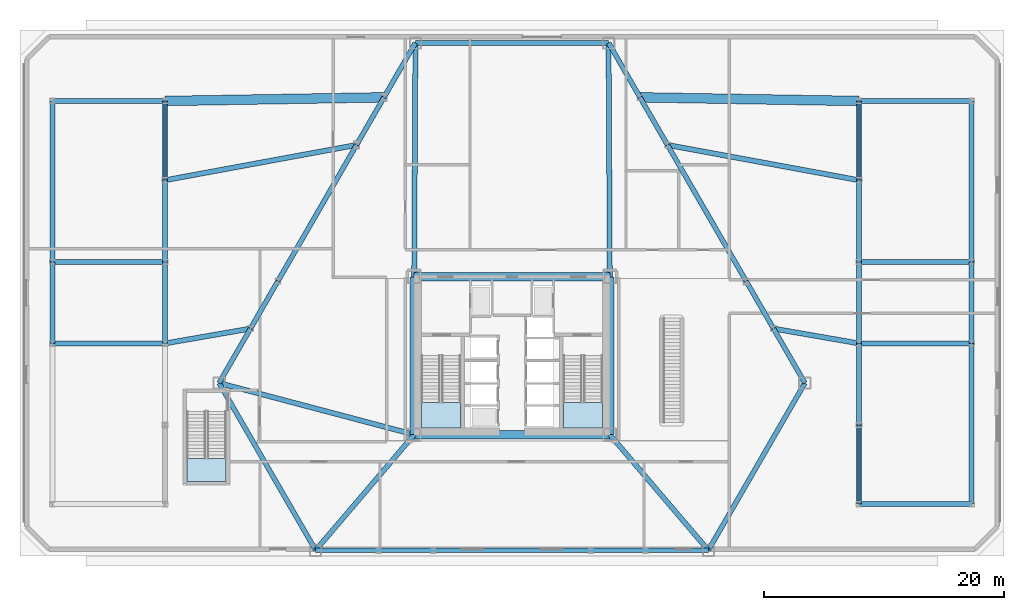
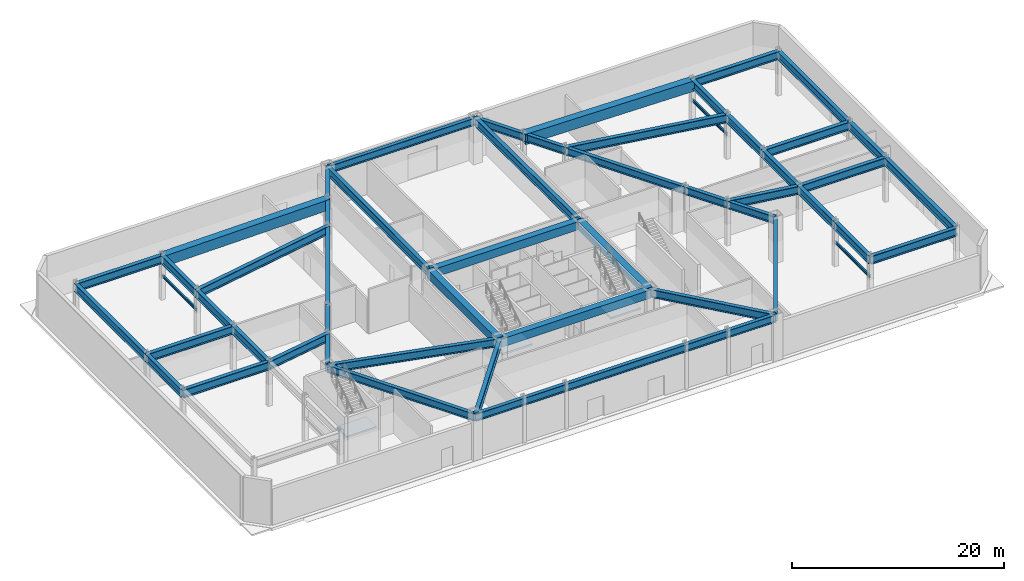
# One storey, part 3 of 12: 56 beams, 3 slabs, 3 elements without a shape of their own.
"""IFC4 building model written with IfcOpenShell, lengths in metres."""

from ifc_helpers import new_model, si_unit, direction, frame, origin, origin_2d, place, context, subcontext, project, spatial, polyline, rectangle, hollow_rectangle, i_section, outline, extrude, material, layer, layer_set, material_profile, profile_set, type_object, element, aggregate, save


model = new_model("IFC4")

# Units and contexts
model_context = context("Model", 3, precision=1e-05, world=origin(), true_north=direction((0.0, 1.0)))
body_context = subcontext(model_context, "Body", "Model", "MODEL_VIEW")
ifc_project = project(units=[si_unit("LENGTHUNIT", "METRE"), si_unit("AREAUNIT", "SQUARE_METRE"), si_unit("VOLUMEUNIT", "CUBIC_METRE"), si_unit("PLANEANGLEUNIT", "RADIAN"), si_unit("MASSUNIT", "GRAM", prefix="KILO")], contexts=[model_context])

# Site, building, storey
site_placement = place(None, origin())
site = spatial("IfcSite", under=ifc_project, at=site_placement, CompositionType="ELEMENT")
building_placement = place(site_placement, origin())
building = spatial("IfcBuilding", under=site, at=building_placement, Name="Oramaril Tower", CompositionType="ELEMENT")
storey_placement = place(building_placement, origin())
storey = spatial("IfcBuildingStorey", under=building, at=storey_placement, Name="L00", CompositionType="ELEMENT", Elevation=0.0)

# Beams
ifc_material_1 = material(Name="Concrete C50/60", Category="concrete")
ifc_material_profile_1 = material_profile(ifc_material_1, rectangle(XDim=0.699951171875, YDim=0.949951171875, at=origin_2d()), Name="CB700X950")
ifc_profile_set_1 = profile_set([ifc_material_profile_1], Name="Concrete C50/60")
beam_type_1 = type_object("IfcBeamType", Name="BT-CB1", PredefinedType="BEAM", material=ifc_profile_set_1)
beam_1_placement = place(storey_placement, frame((29.35009765625, 11.0, 4.64501953125), z_axis=(1.0, 0.0, 0.0), x_axis=(0.0, 1.0, 0.0)))
element("IfcBeam", 1, at=beam_1_placement, inside=storey, type_object=beam_type_1, Name="L00 Core Header Beam CB-1", PredefinedType="BEAM", context=body_context, shape_type="SweptSolid", body=[
    extrude(rectangle(XDim=0.699951171875, YDim=0.949951171875, at=origin_2d()), origin(), (0.0, 0.0, 1.0), 16.2998046875),
])
beam_2_placement = place(storey_placement, frame((45.64990234375, 11.0, 4.64501953125), z_axis=(0.0, 1.0, 0.0), x_axis=(-1.0, 0.0, 0.0)))
element("IfcBeam", 2, at=beam_2_placement, inside=storey, type_object=beam_type_1, Name="L00 Core Header Beam CB-2", PredefinedType="BEAM", context=body_context, shape_type="SweptSolid", body=[
    extrude(rectangle(XDim=0.699951171875, YDim=0.949951171875, at=origin_2d()), origin(), (0.0, 0.0, 1.0), 13.14990234375),
])
beam_3_placement = place(storey_placement, frame((45.64990234375, 24.14990234375, 4.64501953125), z_axis=(-1.0, 0.0, 0.0), x_axis=(0.0, -1.0, 0.0)))
element("IfcBeam", 3, at=beam_3_placement, inside=storey, type_object=beam_type_1, Name="L00 Core Header Beam CB-3", PredefinedType="BEAM", context=body_context, shape_type="SweptSolid", body=[
    extrude(rectangle(XDim=0.699951171875, YDim=0.949951171875, at=origin_2d()), origin(), (0.0, 0.0, 1.0), 16.2998046875),
])
beam_4_placement = place(storey_placement, frame((29.35009765625, 24.14990234375, 4.64501953125), z_axis=(0.0, -1.0, 0.0), x_axis=(1.0, 0.0, 0.0)))
element("IfcBeam", 4, at=beam_4_placement, inside=storey, type_object=beam_type_1, Name="L00 Core Header Beam CB-4", PredefinedType="BEAM", context=body_context, shape_type="SweptSolid", body=[
    extrude(rectangle(XDim=0.699951171875, YDim=0.949951171875, at=origin_2d()), origin(), (0.0, 0.0, 1.0), 13.14990234375),
])
ifc_material_2 = material(Name="Steel ASTM A572 Gr 50", Category="steel")
ifc_material_profile_2 = material_profile(ifc_material_2, i_section(OverallWidth=0.1650390625, OverallDepth=0.31005859375, WebThickness=0.005859375, FlangeThickness=0.009765625, at=origin_2d()), Name="W12X26")
ifc_profile_set_2 = profile_set([ifc_material_profile_2], Name="Steel ASTM A572 Gr 50")
beam_type_2 = type_object("IfcBeamType", Name="BT-LN1", PredefinedType="LINTEL", material=ifc_profile_set_2)
for number, where, z_axis, x_axis, name in (
    (5, (8.60009765625, 32.199951171875, 2.695068359375), (0.0, 1.0, 0.0), (-1.0, 0.0, 0.0), "L00 Podium Opening Lintel Beam"),
    (6, (66.39990234375, 5.199951171875, 2.695068359375), (0.0, 1.0, 0.0), (-1.0, 0.0, 0.0), "L00 Podium Opening Lintel Beam"),
    (7, (66.39990234375, 32.199951171875, 2.695068359375), (0.0, 1.0, 0.0), (-1.0, 0.0, 0.0), "L00 Podium Opening Lintel Beam"),
):
    element("IfcBeam", number, at=place(storey_placement, frame(where, z_axis=z_axis, x_axis=x_axis)), inside=storey, type_object=beam_type_2, Name=name, PredefinedType="LINTEL", context=body_context, shape_type="SweptSolid", body=[
        extrude(i_section(OverallWidth=0.1650390625, OverallDepth=0.31005859375, WebThickness=0.005859375, FlangeThickness=0.009765625, at=origin_2d()), origin(), (0.0, 0.0, 1.0), 6.60009765625),
    ])
ifc_material_3 = material(Name="Steel ASTM A572 Gr 50", Category="steel")
ifc_material_profile_3 = material_profile(ifc_material_3, i_section(OverallWidth=0.424072265625, OverallDepth=0.947021484375, WebThickness=0.02392578125, FlangeThickness=0.042724609375, at=origin_2d()), Name="W36X302")
ifc_profile_set_3 = profile_set([ifc_material_profile_3], Name="Steel ASTM A572 Gr 50")
beam_type_3 = type_object("IfcBeamType", Name="BT-PG1", PredefinedType="BEAM", material=ifc_profile_set_3)
beam_5_placement = place(storey_placement, frame((8.60009765625, 18.60009765625, 4.646484375), z_axis=(0.985251471122, 0.171112649011, 0.0), x_axis=(-0.171112649011, 0.985251471122, 0.0)))
element("IfcBeam", 8, at=beam_5_placement, inside=storey, type_object=beam_type_3, Name="L00 Podium Clear-Span Girder 03", PredefinedType="BEAM", context=body_context, shape_type="SweptSolid", body=[
    extrude(i_section(OverallWidth=0.424072265625, OverallDepth=0.947021484375, WebThickness=0.02392578125, FlangeThickness=0.042724609375, at=origin_2d()), origin(), (0.0, 0.0, 1.0), 7.2138671875),
])
beam_6_placement = place(storey_placement, frame((8.60009765625, 32.199951171875, 4.646484375), z_axis=(0.983441112449, 0.181227973404, 0.0), x_axis=(-0.181227973404, 0.983441112449, 0.0)))
element("IfcBeam", 9, at=beam_6_placement, inside=storey, type_object=beam_type_3, Name="L00 Podium Clear-Span Girder 05", PredefinedType="BEAM", context=body_context, shape_type="SweptSolid", body=[
    extrude(i_section(OverallWidth=0.424072265625, OverallDepth=0.947021484375, WebThickness=0.02392578125, FlangeThickness=0.042724609375, at=origin_2d()), origin(), (0.0, 0.0, 1.0), 16.211669921875),
])
beam_7_placement = place(storey_placement, frame((66.39990234375, 18.60009765625, 4.646484375), z_axis=(-0.985251471122, 0.171112649011, 0.0), x_axis=(-0.171112649011, -0.985251471122, 0.0)))
element("IfcBeam", 10, at=beam_7_placement, inside=storey, type_object=beam_type_3, Name="L00 Podium Clear-Span Girder 09", PredefinedType="BEAM", context=body_context, shape_type="SweptSolid", body=[
    extrude(i_section(OverallWidth=0.424072265625, OverallDepth=0.947021484375, WebThickness=0.02392578125, FlangeThickness=0.042724609375, at=origin_2d()), origin(), (0.0, 0.0, 1.0), 7.2138671875),
])
beam_8_placement = place(storey_placement, frame((66.39990234375, 32.199951171875, 4.646484375), z_axis=(-0.983441112449, 0.181227973404, 0.0), x_axis=(-0.181227973404, -0.983441112449, 0.0)))
element("IfcBeam", 11, at=beam_8_placement, inside=storey, type_object=beam_type_3, Name="L00 Podium Clear-Span Girder 11", PredefinedType="BEAM", context=body_context, shape_type="SweptSolid", body=[
    extrude(i_section(OverallWidth=0.424072265625, OverallDepth=0.947021484375, WebThickness=0.02392578125, FlangeThickness=0.042724609375, at=origin_2d()), origin(), (0.0, 0.0, 1.0), 16.211669921875),
])
for number, where, z_axis, x_axis, name in (
    (12, (-0.800048828125, 18.60009765625, 4.646484375), (1.0, 0.0, 0.0), (0.0, 1.0, 0.0), "L00 Wing Transverse Girder 02"),
    (13, (-0.800048828125, 25.39990234375, 4.646484375), (1.0, 0.0, 0.0), (0.0, 1.0, 0.0), "L00 Wing Transverse Girder 03"),
    (14, (-0.800048828125, 38.800048828125, 4.646484375), (1.0, 0.0, 0.0), (0.0, 1.0, 0.0), "L00 Wing Transverse Girder 04"),
    (15, (66.39990234375, 5.199951171875, 4.646484375), (1.0, 0.0, 0.0), (0.0, 1.0, 0.0), "L00 Wing Transverse Girder 05"),
    (16, (66.39990234375, 18.60009765625, 4.646484375), (1.0, 0.0, 0.0), (0.0, 1.0, 0.0), "L00 Wing Transverse Girder 06"),
    (17, (66.39990234375, 25.39990234375, 4.646484375), (1.0, 0.0, 0.0), (0.0, 1.0, 0.0), "L00 Wing Transverse Girder 07"),
    (18, (66.39990234375, 38.800048828125, 4.646484375), (1.0, 0.0, 0.0), (0.0, 1.0, 0.0), "L00 Wing Transverse Girder 08"),
):
    element("IfcBeam", number, at=place(storey_placement, frame(where, z_axis=z_axis, x_axis=x_axis)), inside=storey, type_object=beam_type_3, Name=name, PredefinedType="BEAM", context=body_context, shape_type="SweptSolid", body=[
        extrude(i_section(OverallWidth=0.424072265625, OverallDepth=0.947021484375, WebThickness=0.02392578125, FlangeThickness=0.042724609375, at=origin_2d()), origin(), (0.0, 0.0, 1.0), 9.400146484375),
    ])
ifc_material_4 = material(Name="Steel ASTM A572 Gr 50", Category="steel")
ifc_material_profile_4 = material_profile(ifc_material_4, i_section(OverallWidth=0.4189453125, OverallDepth=0.927001953125, WebThickness=0.019287109375, FlangeThickness=0.031982421875, at=origin_2d()), Name="W36X231")
ifc_profile_set_4 = profile_set([ifc_material_profile_4], Name="Steel ASTM A572 Gr 50")
beam_type_4 = type_object("IfcBeamType", Name="BT-PG2", PredefinedType="BEAM", material=ifc_profile_set_4)
beam_9_placement = place(storey_placement, frame((29.35009765625, 11.0, 4.656494140625), z_axis=(-0.966766980937, 0.255659157024, 0.0), x_axis=(-0.255659157024, -0.966766980937, 0.0)))
element("IfcBeam", 19, at=beam_9_placement, inside=storey, type_object=beam_type_4, Name="L00 Radial Primary Beam RB-01", PredefinedType="BEAM", context=body_context, shape_type="SweptSolid", body=[
    extrude(i_section(OverallWidth=0.4189453125, OverallDepth=0.927001953125, WebThickness=0.019287109375, FlangeThickness=0.031982421875, at=origin_2d()), origin(), (0.0, 0.0, 1.0), 16.819580078125),
])
for number, where, z_axis, x_axis, name in (
    (20, (29.35009765625, 11.0, 4.656494140625), (-0.64848466157, -0.761227721322, 0.0), (0.761227721322, -0.64848466157, 0.0), "L00 Radial Primary Beam RB-02"),
    (21, (45.64990234375, 11.0, 4.656494140625), (0.64848466157, -0.761227721322, 0.0), (0.761227721322, 0.64848466157, 0.0), "L00 Radial Primary Beam RB-03"),
):
    element("IfcBeam", number, at=place(storey_placement, frame(where, z_axis=z_axis, x_axis=x_axis)), inside=storey, type_object=beam_type_4, Name=name, PredefinedType="BEAM", context=body_context, shape_type="SweptSolid", body=[
        extrude(i_section(OverallWidth=0.4189453125, OverallDepth=0.927001953125, WebThickness=0.019287109375, FlangeThickness=0.031982421875, at=origin_2d()), origin(), (0.0, 0.0, 1.0), 12.66357421875),
    ])
for number, where, z_axis, x_axis, name in (
    (22, (45.64990234375, 24.14990234375, 4.656494140625), (-0.005223463456, 0.999986357622, 0.0), (-0.999986357622, -0.005223463456, 0.0), "L00 Radial Primary Beam RB-05"),
    (23, (29.35009765625, 24.14990234375, 4.656494140625), (0.005223463456, 0.999986357622, 0.0), (-0.999986357622, 0.005223463456, 0.0), "L00 Radial Primary Beam RB-06"),
):
    element("IfcBeam", number, at=place(storey_placement, frame(where, z_axis=z_axis, x_axis=x_axis)), inside=storey, type_object=beam_type_4, Name=name, PredefinedType="BEAM", context=body_context, shape_type="SweptSolid", body=[
        extrude(i_section(OverallWidth=0.4189453125, OverallDepth=0.927001953125, WebThickness=0.019287109375, FlangeThickness=0.031982421875, at=origin_2d()), origin(), (0.0, 0.0, 1.0), 19.490234375),
    ])
beam_10_placement = place(storey_placement, frame((8.60009765625, 18.60009765625, 4.656494140625), z_axis=(0.0, 1.0, 0.0), x_axis=(-1.0, 0.0, 0.0)))
element("IfcBeam", 24, at=beam_10_placement, inside=storey, type_object=beam_type_4, Name="L00 Podium Perimeter Girder 03", PredefinedType="BEAM", context=body_context, shape_type="SweptSolid", body=[
    extrude(i_section(OverallWidth=0.4189453125, OverallDepth=0.927001953125, WebThickness=0.019287109375, FlangeThickness=0.031982421875, at=origin_2d()), origin(), (0.0, 0.0, 1.0), 6.7998046875),
])
beam_11_placement = place(storey_placement, frame((8.60009765625, 25.39990234375, 4.656494140625), z_axis=(0.0, 1.0, 0.0), x_axis=(-1.0, 0.0, 0.0)))
element("IfcBeam", 25, at=beam_11_placement, inside=storey, type_object=beam_type_4, Name="L00 Podium Perimeter Girder 04", PredefinedType="BEAM", context=body_context, shape_type="SweptSolid", body=[
    extrude(i_section(OverallWidth=0.4189453125, OverallDepth=0.927001953125, WebThickness=0.019287109375, FlangeThickness=0.031982421875, at=origin_2d()), origin(), (0.0, 0.0, 1.0), 6.800048828125),
])
for number, where, z_axis, x_axis, name in (
    (26, (8.60009765625, 32.199951171875, 4.656494140625), (0.0, 1.0, 0.0), (-1.0, 0.0, 0.0), "L00 Podium Perimeter Girder 05"),
    (27, (66.39990234375, 5.199951171875, 4.656494140625), (0.0, 1.0, 0.0), (-1.0, 0.0, 0.0), "L00 Podium Perimeter Girder 07"),
):
    element("IfcBeam", number, at=place(storey_placement, frame(where, z_axis=z_axis, x_axis=x_axis)), inside=storey, type_object=beam_type_4, Name=name, PredefinedType="BEAM", context=body_context, shape_type="SweptSolid", body=[
        extrude(i_section(OverallWidth=0.4189453125, OverallDepth=0.927001953125, WebThickness=0.019287109375, FlangeThickness=0.031982421875, at=origin_2d()), origin(), (0.0, 0.0, 1.0), 6.60009765625),
    ])
beam_12_placement = place(storey_placement, frame((66.39990234375, 11.800048828125, 4.656494140625), z_axis=(0.0, 1.0, 0.0), x_axis=(-1.0, 0.0, 0.0)))
element("IfcBeam", 28, at=beam_12_placement, inside=storey, type_object=beam_type_4, Name="L00 Podium Perimeter Girder 08", PredefinedType="BEAM", context=body_context, shape_type="SweptSolid", body=[
    extrude(i_section(OverallWidth=0.4189453125, OverallDepth=0.927001953125, WebThickness=0.019287109375, FlangeThickness=0.031982421875, at=origin_2d()), origin(), (0.0, 0.0, 1.0), 6.800048828125),
])
beam_13_placement = place(storey_placement, frame((66.39990234375, 18.60009765625, 4.656494140625), z_axis=(0.0, 1.0, 0.0), x_axis=(-1.0, 0.0, 0.0)))
element("IfcBeam", 29, at=beam_13_placement, inside=storey, type_object=beam_type_4, Name="L00 Podium Perimeter Girder 09", PredefinedType="BEAM", context=body_context, shape_type="SweptSolid", body=[
    extrude(i_section(OverallWidth=0.4189453125, OverallDepth=0.927001953125, WebThickness=0.019287109375, FlangeThickness=0.031982421875, at=origin_2d()), origin(), (0.0, 0.0, 1.0), 6.7998046875),
])
beam_14_placement = place(storey_placement, frame((66.39990234375, 25.39990234375, 4.656494140625), z_axis=(0.0, 1.0, 0.0), x_axis=(-1.0, 0.0, 0.0)))
element("IfcBeam", 30, at=beam_14_placement, inside=storey, type_object=beam_type_4, Name="L00 Podium Perimeter Girder 10", PredefinedType="BEAM", context=body_context, shape_type="SweptSolid", body=[
    extrude(i_section(OverallWidth=0.4189453125, OverallDepth=0.927001953125, WebThickness=0.019287109375, FlangeThickness=0.031982421875, at=origin_2d()), origin(), (0.0, 0.0, 1.0), 6.800048828125),
])
beam_15_placement = place(storey_placement, frame((66.39990234375, 32.199951171875, 4.656494140625), z_axis=(0.0, 1.0, 0.0), x_axis=(-1.0, 0.0, 0.0)))
element("IfcBeam", 31, at=beam_15_placement, inside=storey, type_object=beam_type_4, Name="L00 Podium Perimeter Girder 11", PredefinedType="BEAM", context=body_context, shape_type="SweptSolid", body=[
    extrude(i_section(OverallWidth=0.4189453125, OverallDepth=0.927001953125, WebThickness=0.019287109375, FlangeThickness=0.031982421875, at=origin_2d()), origin(), (0.0, 0.0, 1.0), 6.60009765625),
])
beam_16_placement = place(storey_placement, frame((-0.800048828125, 18.60009765625, 4.656494140625), z_axis=(0.0, 1.0, 0.0), x_axis=(-1.0, 0.0, 0.0)))
element("IfcBeam", 32, at=beam_16_placement, inside=storey, type_object=beam_type_4, Name="L00 Wing Perimeter Girder 02", PredefinedType="BEAM", context=body_context, shape_type="SweptSolid", body=[
    extrude(i_section(OverallWidth=0.4189453125, OverallDepth=0.927001953125, WebThickness=0.019287109375, FlangeThickness=0.031982421875, at=origin_2d()), origin(), (0.0, 0.0, 1.0), 6.7998046875),
])
for number, where, z_axis, x_axis, name in (
    (33, (-0.800048828125, 25.39990234375, 4.656494140625), (0.0, 1.0, 0.0), (-1.0, 0.0, 0.0), "L00 Wing Perimeter Girder 03"),
    (34, (75.800048828125, 5.199951171875, 4.656494140625), (0.0, 1.0, 0.0), (-1.0, 0.0, 0.0), "L00 Wing Perimeter Girder 05"),
):
    element("IfcBeam", number, at=place(storey_placement, frame(where, z_axis=z_axis, x_axis=x_axis)), inside=storey, type_object=beam_type_4, Name=name, PredefinedType="BEAM", context=body_context, shape_type="SweptSolid", body=[
        extrude(i_section(OverallWidth=0.4189453125, OverallDepth=0.927001953125, WebThickness=0.019287109375, FlangeThickness=0.031982421875, at=origin_2d()), origin(), (0.0, 0.0, 1.0), 13.400146484375),
    ])
beam_17_placement = place(storey_placement, frame((75.800048828125, 18.60009765625, 4.656494140625), z_axis=(0.0, 1.0, 0.0), x_axis=(-1.0, 0.0, 0.0)))
element("IfcBeam", 35, at=beam_17_placement, inside=storey, type_object=beam_type_4, Name="L00 Wing Perimeter Girder 06", PredefinedType="BEAM", context=body_context, shape_type="SweptSolid", body=[
    extrude(i_section(OverallWidth=0.4189453125, OverallDepth=0.927001953125, WebThickness=0.019287109375, FlangeThickness=0.031982421875, at=origin_2d()), origin(), (0.0, 0.0, 1.0), 6.7998046875),
])
beam_18_placement = place(storey_placement, frame((75.800048828125, 25.39990234375, 4.656494140625), z_axis=(0.0, 1.0, 0.0), x_axis=(-1.0, 0.0, 0.0)))
element("IfcBeam", 36, at=beam_18_placement, inside=storey, type_object=beam_type_4, Name="L00 Wing Perimeter Girder 07", PredefinedType="BEAM", context=body_context, shape_type="SweptSolid", body=[
    extrude(i_section(OverallWidth=0.4189453125, OverallDepth=0.927001953125, WebThickness=0.019287109375, FlangeThickness=0.031982421875, at=origin_2d()), origin(), (0.0, 0.0, 1.0), 13.400146484375),
])
ifc_material_5 = material(Name="Steel ASTM A572 Gr 50", Category="steel")
ifc_material_profile_5 = material_profile(ifc_material_5, i_section(OverallWidth=0.40087890625, OverallDepth=0.85595703125, WebThickness=0.018310546875, FlangeThickness=0.029296875, at=origin_2d()), Name="W33X201")
ifc_profile_set_5 = profile_set([ifc_material_profile_5], Name="Steel ASTM A572 Gr 50")
beam_type_5 = type_object("IfcBeamType", Name="BT-SP1", PredefinedType="SPANDREL", material=ifc_profile_set_5)
beam_19_placement = place(storey_placement, frame((13.089599609375, 15.300048828125, 4.69189453125), z_axis=(0.500005168208, -0.866022419898, 0.0), x_axis=(0.866022419898, 0.500005168208, 0.0)))
element("IfcBeam", 37, at=beam_19_placement, inside=storey, type_object=beam_type_5, Name="L00 Perimeter Spandrel 01", PredefinedType="SPANDREL", context=body_context, shape_type="SweptSolid", body=[
    extrude(i_section(OverallWidth=0.40087890625, OverallDepth=0.85595703125, WebThickness=0.018310546875, FlangeThickness=0.029296875, at=origin_2d()), origin(), (0.0, 0.0, 1.0), 16.096435546875),
])
beam_20_placement = place(storey_placement, frame((21.137939453125, 1.360107421875, 4.69189453125), z_axis=(1.0, 0.0, 0.0), x_axis=(0.0, 1.0, 0.0)))
element("IfcBeam", 38, at=beam_20_placement, inside=storey, type_object=beam_type_5, Name="L00 Perimeter Spandrel 02", PredefinedType="SPANDREL", context=body_context, shape_type="SweptSolid", body=[
    extrude(i_section(OverallWidth=0.40087890625, OverallDepth=0.85595703125, WebThickness=0.018310546875, FlangeThickness=0.029296875, at=origin_2d()), origin(), (0.0, 0.0, 1.0), 5.23583984375),
])
beam_21_placement = place(storey_placement, frame((26.373779296875, 1.360107421875, 4.69189453125), z_axis=(1.0, 0.0, 0.0), x_axis=(0.0, 1.0, 0.0)))
element("IfcBeam", 39, at=beam_21_placement, inside=storey, type_object=beam_type_5, Name="L00 Perimeter Spandrel 03", PredefinedType="SPANDREL", context=body_context, shape_type="SweptSolid", body=[
    extrude(i_section(OverallWidth=0.40087890625, OverallDepth=0.85595703125, WebThickness=0.018310546875, FlangeThickness=0.029296875, at=origin_2d()), origin(), (0.0, 0.0, 1.0), 4.581298828125),
])
beam_22_placement = place(storey_placement, frame((30.955078125, 1.360107421875, 4.69189453125), z_axis=(1.0, 0.0, 0.0), x_axis=(0.0, 1.0, 0.0)))
element("IfcBeam", 40, at=beam_22_placement, inside=storey, type_object=beam_type_5, Name="L00 Perimeter Spandrel 04", PredefinedType="SPANDREL", context=body_context, shape_type="SweptSolid", body=[
    extrude(i_section(OverallWidth=0.40087890625, OverallDepth=0.85595703125, WebThickness=0.018310546875, FlangeThickness=0.029296875, at=origin_2d()), origin(), (0.0, 0.0, 1.0), 13.08984375),
])
beam_23_placement = place(storey_placement, frame((44.044921875, 1.360107421875, 4.69189453125), z_axis=(1.0, 0.0, 0.0), x_axis=(0.0, 1.0, 0.0)))
element("IfcBeam", 41, at=beam_23_placement, inside=storey, type_object=beam_type_5, Name="L00 Perimeter Spandrel 05", PredefinedType="SPANDREL", context=body_context, shape_type="SweptSolid", body=[
    extrude(i_section(OverallWidth=0.40087890625, OverallDepth=0.85595703125, WebThickness=0.018310546875, FlangeThickness=0.029296875, at=origin_2d()), origin(), (0.0, 0.0, 1.0), 4.581298828125),
])
beam_24_placement = place(storey_placement, frame((48.626220703125, 1.360107421875, 4.69189453125), z_axis=(1.0, 0.0, 0.0), x_axis=(0.0, 1.0, 0.0)))
element("IfcBeam", 42, at=beam_24_placement, inside=storey, type_object=beam_type_5, Name="L00 Perimeter Spandrel 06", PredefinedType="SPANDREL", context=body_context, shape_type="SweptSolid", body=[
    extrude(i_section(OverallWidth=0.40087890625, OverallDepth=0.85595703125, WebThickness=0.018310546875, FlangeThickness=0.029296875, at=origin_2d()), origin(), (0.0, 0.0, 1.0), 5.23583984375),
])
beam_25_placement = place(storey_placement, frame((53.862060546875, 1.360107421875, 4.69189453125), z_axis=(0.500005168208, 0.866022419898, 0.0), x_axis=(-0.866022419898, 0.500005168208, 0.0)))
element("IfcBeam", 43, at=beam_25_placement, inside=storey, type_object=beam_type_5, Name="L00 Perimeter Spandrel 07", PredefinedType="SPANDREL", context=body_context, shape_type="SweptSolid", body=[
    extrude(i_section(OverallWidth=0.40087890625, OverallDepth=0.85595703125, WebThickness=0.018310546875, FlangeThickness=0.029296875, at=origin_2d()), origin(), (0.0, 0.0, 1.0), 16.096435546875),
])
beam_26_placement = place(storey_placement, frame((61.910400390625, 15.300048828125, 4.69189453125), z_axis=(-0.499995574394, 0.866027958894, 0.0), x_axis=(-0.866027958894, -0.499995574394, 0.0)))
element("IfcBeam", 44, at=beam_26_placement, inside=storey, type_object=beam_type_5, Name="L00 Perimeter Spandrel 08", PredefinedType="SPANDREL", context=body_context, shape_type="SweptSolid", body=[
    extrude(i_section(OverallWidth=0.40087890625, OverallDepth=0.85595703125, WebThickness=0.018310546875, FlangeThickness=0.029296875, at=origin_2d()), origin(), (0.0, 0.0, 1.0), 5.23583984375),
])
beam_27_placement = place(storey_placement, frame((59.29248046875, 19.83447265625, 4.69189453125), z_axis=(-0.500019215235, 0.866014309579, 0.0), x_axis=(-0.866014309579, -0.500019215235, 0.0)))
element("IfcBeam", 45, at=beam_27_placement, inside=storey, type_object=beam_type_5, Name="L00 Perimeter Spandrel 09", PredefinedType="SPANDREL", context=body_context, shape_type="SweptSolid", body=[
    extrude(i_section(OverallWidth=0.40087890625, OverallDepth=0.85595703125, WebThickness=0.018310546875, FlangeThickness=0.029296875, at=origin_2d()), origin(), (0.0, 0.0, 1.0), 4.581298828125),
])
beam_28_placement = place(storey_placement, frame((57.001708984375, 23.802001953125, 4.69189453125), z_axis=(-0.50000660679, 0.866021589319, 0.0), x_axis=(-0.866021589319, -0.50000660679, 0.0)))
element("IfcBeam", 46, at=beam_28_placement, inside=storey, type_object=beam_type_5, Name="L00 Perimeter Spandrel 10", PredefinedType="SPANDREL", context=body_context, shape_type="SweptSolid", body=[
    extrude(i_section(OverallWidth=0.40087890625, OverallDepth=0.85595703125, WebThickness=0.018310546875, FlangeThickness=0.029296875, at=origin_2d()), origin(), (0.0, 0.0, 1.0), 13.089599609375),
])
beam_29_placement = place(storey_placement, frame((50.456787109375, 35.137939453125, 4.69189453125), z_axis=(-0.499996140324, 0.866027632158, 0.0), x_axis=(-0.866027632158, -0.499996140324, 0.0)))
element("IfcBeam", 47, at=beam_29_placement, inside=storey, type_object=beam_type_5, Name="L00 Perimeter Spandrel 11", PredefinedType="SPANDREL", context=body_context, shape_type="SweptSolid", body=[
    extrude(i_section(OverallWidth=0.40087890625, OverallDepth=0.85595703125, WebThickness=0.018310546875, FlangeThickness=0.029296875, at=origin_2d()), origin(), (0.0, 0.0, 1.0), 4.58154296875),
])
beam_30_placement = place(storey_placement, frame((48.166015625, 39.105712890625, 4.69189453125), z_axis=(-0.500015765613, 0.866016301312, 0.0), x_axis=(-0.866016301312, -0.500015765613, 0.0)))
element("IfcBeam", 48, at=beam_30_placement, inside=storey, type_object=beam_type_5, Name="L00 Perimeter Spandrel 12", PredefinedType="SPANDREL", context=body_context, shape_type="SweptSolid", body=[
    extrude(i_section(OverallWidth=0.40087890625, OverallDepth=0.85595703125, WebThickness=0.018310546875, FlangeThickness=0.029296875, at=origin_2d()), origin(), (0.0, 0.0, 1.0), 5.235595703125),
])
beam_31_placement = place(storey_placement, frame((45.548095703125, 43.639892578125, 4.69189453125), z_axis=(-1.0, 0.0, 0.0), x_axis=(0.0, -1.0, 0.0)))
element("IfcBeam", 49, at=beam_31_placement, inside=storey, type_object=beam_type_5, Name="L00 Perimeter Spandrel 13", PredefinedType="SPANDREL", context=body_context, shape_type="SweptSolid", body=[
    extrude(i_section(OverallWidth=0.40087890625, OverallDepth=0.85595703125, WebThickness=0.018310546875, FlangeThickness=0.029296875, at=origin_2d()), origin(), (0.0, 0.0, 1.0), 16.09619140625),
])
beam_32_placement = place(storey_placement, frame((29.451904296875, 43.639892578125, 4.69189453125), z_axis=(-0.500015765613, -0.866016301312, 0.0), x_axis=(0.866016301312, -0.500015765613, 0.0)))
element("IfcBeam", 50, at=beam_32_placement, inside=storey, type_object=beam_type_5, Name="L00 Perimeter Spandrel 14", PredefinedType="SPANDREL", context=body_context, shape_type="SweptSolid", body=[
    extrude(i_section(OverallWidth=0.40087890625, OverallDepth=0.85595703125, WebThickness=0.018310546875, FlangeThickness=0.029296875, at=origin_2d()), origin(), (0.0, 0.0, 1.0), 5.235595703125),
])
beam_33_placement = place(storey_placement, frame((26.833984375, 39.105712890625, 4.69189453125), z_axis=(-0.499996140324, -0.866027632158, 0.0), x_axis=(0.866027632158, -0.499996140324, 0.0)))
element("IfcBeam", 51, at=beam_33_placement, inside=storey, type_object=beam_type_5, Name="L00 Perimeter Spandrel 15", PredefinedType="SPANDREL", context=body_context, shape_type="SweptSolid", body=[
    extrude(i_section(OverallWidth=0.40087890625, OverallDepth=0.85595703125, WebThickness=0.018310546875, FlangeThickness=0.029296875, at=origin_2d()), origin(), (0.0, 0.0, 1.0), 4.58154296875),
])
beam_34_placement = place(storey_placement, frame((24.543212890625, 35.137939453125, 4.69189453125), z_axis=(-0.50000660679, -0.866021589319, 0.0), x_axis=(0.866021589319, -0.50000660679, 0.0)))
element("IfcBeam", 52, at=beam_34_placement, inside=storey, type_object=beam_type_5, Name="L00 Perimeter Spandrel 16", PredefinedType="SPANDREL", context=body_context, shape_type="SweptSolid", body=[
    extrude(i_section(OverallWidth=0.40087890625, OverallDepth=0.85595703125, WebThickness=0.018310546875, FlangeThickness=0.029296875, at=origin_2d()), origin(), (0.0, 0.0, 1.0), 13.089599609375),
])
beam_35_placement = place(storey_placement, frame((17.998291015625, 23.802001953125, 4.69189453125), z_axis=(-0.500019215235, -0.866014309579, 0.0), x_axis=(0.866014309579, -0.500019215235, 0.0)))
element("IfcBeam", 53, at=beam_35_placement, inside=storey, type_object=beam_type_5, Name="L00 Perimeter Spandrel 17", PredefinedType="SPANDREL", context=body_context, shape_type="SweptSolid", body=[
    extrude(i_section(OverallWidth=0.40087890625, OverallDepth=0.85595703125, WebThickness=0.018310546875, FlangeThickness=0.029296875, at=origin_2d()), origin(), (0.0, 0.0, 1.0), 4.581298828125),
])
beam_36_placement = place(storey_placement, frame((15.70751953125, 19.83447265625, 4.69189453125), z_axis=(-0.499995574394, -0.866027958894, 0.0), x_axis=(0.866027958894, -0.499995574394, 0.0)))
element("IfcBeam", 54, at=beam_36_placement, inside=storey, type_object=beam_type_5, Name="L00 Perimeter Spandrel 18", PredefinedType="SPANDREL", context=body_context, shape_type="SweptSolid", body=[
    extrude(i_section(OverallWidth=0.40087890625, OverallDepth=0.85595703125, WebThickness=0.018310546875, FlangeThickness=0.029296875, at=origin_2d()), origin(), (0.0, 0.0, 1.0), 5.23583984375),
])
ifc_material_6 = material(Name="Steel ASTM A572 Gr 50", Category="steel")
ifc_material_profile_6 = material_profile(ifc_material_6, hollow_rectangle(XDim=0.800048828125, YDim=1.199951171875, WallThickness=0.074951171875, at=origin_2d()), Name="BOX1200X800X75")
ifc_profile_set_6 = profile_set([ifc_material_profile_6], Name="Steel ASTM A572 Gr 50")
beam_type_6 = type_object("IfcBeamType", Name="BT-TT1", PredefinedType="BEAM", material=ifc_profile_set_6)
for number, where, z_axis, x_axis, name in (
    (55, (8.60009765625, 38.800048828125, 4.52001953125), (0.999859521862, 0.016761161682, 0.0), (-0.016761161682, 0.999859521862, 0.0), "L00 Podium Clear-Span Girder 06"),
    (56, (66.39990234375, 38.800048828125, 4.52001953125), (-0.999859521862, 0.016761161682, 0.0), (-0.016761161682, -0.999859521862, 0.0), "L00 Podium Clear-Span Girder 12"),
):
    element("IfcBeam", number, at=place(storey_placement, frame(where, z_axis=z_axis, x_axis=x_axis)), inside=storey, type_object=beam_type_6, Name=name, PredefinedType="BEAM", context=body_context, shape_type="SweptSolid", body=[
        extrude(hollow_rectangle(XDim=0.800048828125, YDim=1.199951171875, WallThickness=0.074951171875, at=origin_2d()), origin(), (0.0, 0.0, 1.0), 18.236328125),
    ])

# Stair, slab
ifc_material_7 = material(Name="Concrete C50/60", Category="concrete")
stair_type = type_object("IfcStairType", Name="STT-DG-5400", PredefinedType="HALF_TURN_STAIR", material=ifc_material_7)
stair_1_placement = place(storey_placement, origin())
stair_1 = element("IfcStair", 57, at=stair_1_placement, inside=storey, type_object=stair_type, Name="L00 Protected PFP Exit Stair ST-1", PredefinedType="HALF_TURN_STAIR")
ifc_material_8 = material(Name="Concrete C50/60", Category="concrete")
ifc_layer = layer(ifc_material_8, 0.199951171875)
ifc_layer_set = layer_set([ifc_layer], Name="SLT-LND20")
slab_type = type_object("IfcSlabType", Name="SLT-LND20", PredefinedType="LANDING", material=ifc_layer_set)
slab_1_placement = place(storey_placement, frame((0.0, 0.0, 2.5)))
slab_1 = element("IfcSlab", 58, at=slab_1_placement, type_object=slab_type, Name="ST-1 landing 1", PredefinedType="LANDING", context=body_context, shape_type="SweptSolid", body=[
    extrude(outline(polyline([(29.949951171875, 13.669921875), (29.949951171875, 11.550048828125), (33.219970703125, 11.550048828125), (33.219970703125, 13.669921875), (29.949951171875, 13.669921875)])), origin(), (0.0, 0.0, 1.0), 0.199951171875),
])
aggregate(stair_1, [slab_1])

stair_2_placement = place(storey_placement, origin())
stair_2 = element("IfcStair", 59, at=stair_2_placement, inside=storey, type_object=stair_type, Name="L00 Protected PFP Exit Stair ST-2", PredefinedType="HALF_TURN_STAIR")
slab_2_placement = place(storey_placement, frame((0.0, 0.0, 2.5)))
slab_2 = element("IfcSlab", 60, at=slab_2_placement, type_object=slab_type, Name="ST-2 landing 1", PredefinedType="LANDING", context=body_context, shape_type="SweptSolid", body=[
    extrude(outline(polyline([(41.780029296875, 13.669921875), (41.780029296875, 11.550048828125), (45.050048828125, 11.550048828125), (45.050048828125, 13.669921875), (41.780029296875, 13.669921875)])), origin(), (0.0, 0.0, 1.0), 0.199951171875),
])
aggregate(stair_2, [slab_2])

stair_3_placement = place(storey_placement, origin())
stair_3 = element("IfcStair", 61, at=stair_3_placement, inside=storey, type_object=stair_type, Name="L00 Podium Enclosed Exit Stair ST-3", PredefinedType="HALF_TURN_STAIR")
slab_3_placement = place(storey_placement, frame((0.0, 0.0, 2.5)))
slab_3 = element("IfcSlab", 62, at=slab_3_placement, type_object=slab_type, Name="ST-3 landing 1", PredefinedType="LANDING", context=body_context, shape_type="SweptSolid", body=[
    extrude(outline(polyline([(10.39990234375, 9.02001953125), (10.39990234375, 7.10009765625), (13.669921875, 7.10009765625), (13.669921875, 9.02001953125), (10.39990234375, 9.02001953125)])), origin(), (0.0, 0.0, 1.0), 0.199951171875),
])
aggregate(stair_3, [slab_3])

save(model, "model.ifc")
